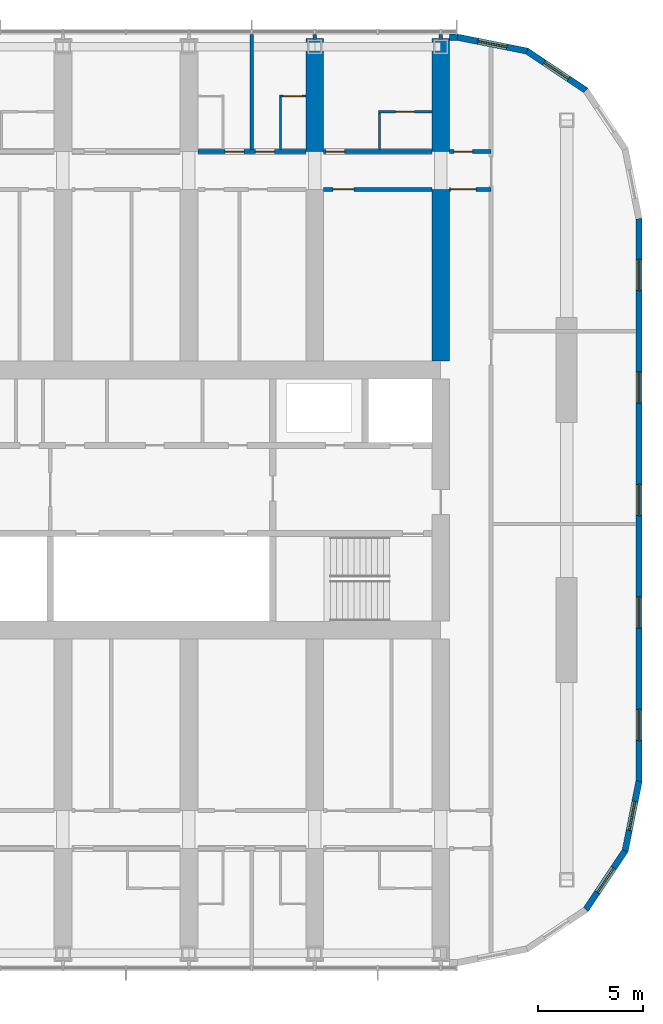
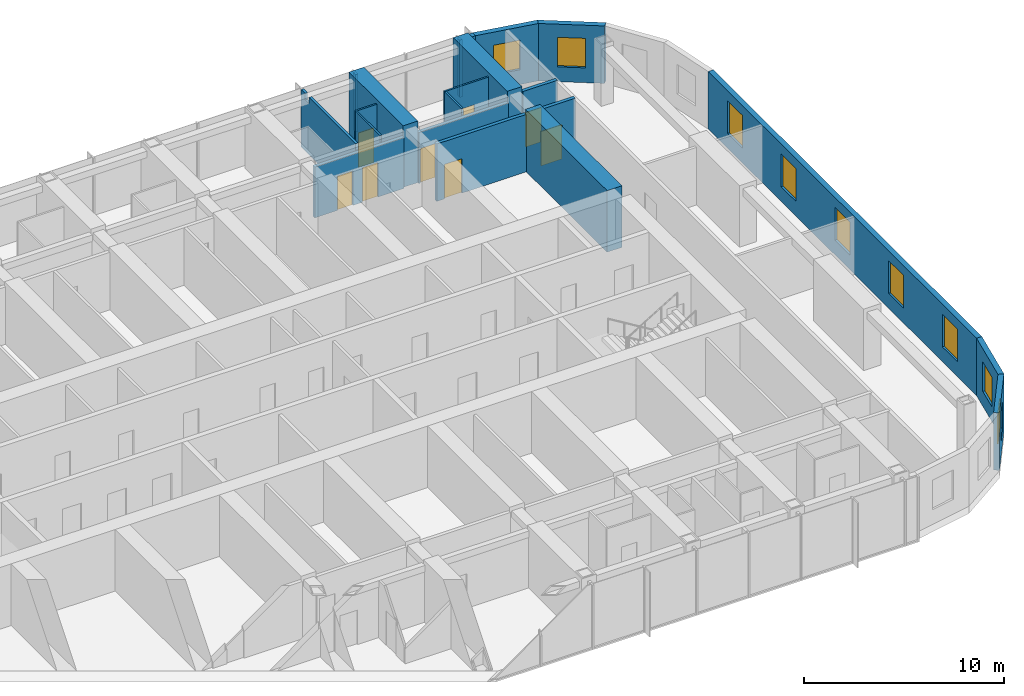
# One storey, part 20 of 28: 21 walls, 9 windows, 8 doors, 17 openings.
"""IFC4 building model written with IfcOpenShell, lengths in metres."""

from ifc_helpers import new_model, si_unit, direction, frame, frame_2d, origin, place, context, subcontext, project, spatial, polyline, rectangle, outline, extrude, material, layer, layer_set, type_object, element, fill, save


model = new_model("IFC4")

# Units and contexts
model_context = context("Model", 3, precision=1e-05, world=origin(), true_north=direction((0.0, 1.0)))
body_context = subcontext(model_context, "Body", "Model", "MODEL_VIEW")
ifc_project = project(units=[si_unit("LENGTHUNIT", "METRE"), si_unit("AREAUNIT", "SQUARE_METRE"), si_unit("VOLUMEUNIT", "CUBIC_METRE"), si_unit("PLANEANGLEUNIT", "RADIAN"), si_unit("MASSUNIT", "GRAM", prefix="KILO")], contexts=[model_context])

# Site, building, storey
site_placement = place(None, origin())
site = spatial("IfcSite", under=ifc_project, at=site_placement, CompositionType="ELEMENT")
building_placement = place(site_placement, origin())
building = spatial("IfcBuilding", under=site, at=building_placement, Name="Orbita Commons", CompositionType="ELEMENT")
storey_placement = place(building_placement, frame((0.0, 0.0, 193.60009765625)))
storey = spatial("IfcBuildingStorey", under=building, at=storey_placement, Name="L48", CompositionType="ELEMENT", Elevation=193.60009765625)

# Wall, openings, doors
ifc_material_1 = material(Name="Concrete blockwork", Category="masonry")
ifc_layer_1 = layer(ifc_material_1, 0.199951171875)
ifc_layer_set_1 = layer_set([ifc_layer_1], Name="Concrete blockwork")
wall_type_1 = type_object("IfcWallType", Name="Corridor wall 200 blockwork", PredefinedType="SOLIDWALL", material=ifc_layer_set_1)
wall_1_placement = place(storey_placement, frame((54.425048828125, 48.60009765625, 0.0), z_axis=(0.0, 0.0, 1.0), x_axis=(1.0, 0.0, 0.0)))
wall_1 = element("IfcWall", 1, at=wall_1_placement, inside=storey, type_object=wall_type_1, Name="Corridor wall 200 blockwork L48", PredefinedType="SOLIDWALL", context=body_context, shape_type="SweptSolid", body=[
    extrude(outline(polyline([(0.0, 0.0), (5.14990234375, 0.0), (5.14990234375, 3.099853515625), (0.0, 3.099853515625), (0.0, 0.0)])), frame((0.0, 0.10009765625, 0.0), z_axis=(0.0, -1.0, 0.0), x_axis=(1.0, 0.0, 0.0)), (0.0, 0.0, 1.0), 0.199951171875),
])
opening_1_placement = place(wall_1_placement, frame((1.300048828125, 0.0, 0.0)))
opening_1 = element("IfcOpeningElement", 2, at=opening_1_placement, cuts=wall_1, Name="Opening D11", PredefinedType="OPENING", context=body_context, shape_type="SweptSolid", body=[
    extrude(rectangle(XDim=0.89990234375, YDim=2.10009765625, at=frame_2d((0.449951171875, 1.050048828125))), frame((0.0, 0.10986328125, 0.0), z_axis=(0.0, -1.0, 0.0), x_axis=(1.0, 0.0, 0.0)), (0.0, 0.0, 1.0), 0.219970703125),
])
opening_2_placement = place(wall_1_placement, frame((2.75, 0.0, 0.0)))
opening_2 = element("IfcOpeningElement", 3, at=opening_2_placement, cuts=wall_1, Name="Opening D11", PredefinedType="OPENING", context=body_context, shape_type="SweptSolid", body=[
    extrude(rectangle(XDim=0.89990234375, YDim=2.10009765625, at=frame_2d((0.449951171875, 1.050048828125))), frame((0.0, 0.10986328125, 0.0), z_axis=(0.0, -1.0, 0.0), x_axis=(1.0, 0.0, 0.0)), (0.0, 0.0, 1.0), 0.219970703125),
])
ifc_material_2 = material(Name="Steel-faced fire door leaf", Category="steel")
door_type_1 = type_object("IfcDoorType", Name="Corridor door 20 min 900x2100", OperationType="SINGLE_SWING_LEFT", PredefinedType="DOOR", material=ifc_material_2)
door_1_placement = place(opening_1_placement, origin())
door_1 = element("IfcDoor", 4, at=door_1_placement, inside=storey, type_object=door_type_1, Name="Cluster bedroom L48-N12 door", OperationType="SINGLE_SWING_LEFT", OverallHeight=2.10009765625, OverallWidth=0.89990234375, PredefinedType="DOOR", context=body_context, shape_type="SweptSolid", body=[
    extrude(rectangle(XDim=0.89990234375, YDim=2.10009765625, at=frame_2d((0.449951171875, 1.050048828125))), frame((0.0, 0.02490234375, 0.0), z_axis=(0.0, -1.0, 0.0), x_axis=(1.0, 0.0, 0.0)), (0.0, 0.0, 1.0), 0.050048828125),
])
fill(opening_1, door_1)
door_2_placement = place(opening_2_placement, origin())
door_2 = element("IfcDoor", 5, at=door_2_placement, inside=storey, type_object=door_type_1, Name="Cluster bedroom L48-N13 door", OperationType="SINGLE_SWING_LEFT", OverallHeight=2.10009765625, OverallWidth=0.89990234375, PredefinedType="DOOR", context=body_context, shape_type="SweptSolid", body=[
    extrude(rectangle(XDim=0.89990234375, YDim=2.10009765625, at=frame_2d((0.449951171875, 1.050048828125))), frame((0.0, 0.02490234375, 0.0), z_axis=(0.0, -1.0, 0.0), x_axis=(1.0, 0.0, 0.0)), (0.0, 0.0, 1.0), 0.050048828125),
])
fill(opening_2, door_2)

# Wall, opening, door
wall_2_placement = place(storey_placement, frame((60.425048828125, 48.60009765625, 0.0), z_axis=(0.0, 0.0, 1.0), x_axis=(1.0, 0.0, 0.0)))
wall_2 = element("IfcWall", 6, at=wall_2_placement, inside=storey, type_object=wall_type_1, Name="Corridor wall 200 blockwork L48", PredefinedType="SOLIDWALL", context=body_context, shape_type="SweptSolid", body=[
    extrude(outline(polyline([(0.0, 0.0), (5.14990234375, 0.0), (5.14990234375, 3.099853515625), (0.0, 3.099853515625), (0.0, 0.0)])), frame((0.0, 0.10009765625, 0.0), z_axis=(0.0, -1.0, 0.0), x_axis=(1.0, 0.0, 0.0)), (0.0, 0.0, 1.0), 0.199951171875),
])
opening_3_placement = place(wall_2_placement, frame((0.10009765625, 0.0, 0.0)))
opening_3 = element("IfcOpeningElement", 7, at=opening_3_placement, cuts=wall_2, Name="Opening D11", PredefinedType="OPENING", context=body_context, shape_type="SweptSolid", body=[
    extrude(rectangle(XDim=0.89990234375, YDim=2.10009765625, at=frame_2d((0.449951171875, 1.050048828125))), frame((0.0, 0.10986328125, 0.0), z_axis=(0.0, -1.0, 0.0), x_axis=(1.0, 0.0, 0.0)), (0.0, 0.0, 1.0), 0.219970703125),
])
door_3_placement = place(opening_3_placement, origin())
door_3 = element("IfcDoor", 8, at=door_3_placement, inside=storey, type_object=door_type_1, Name="Twin room L48-N14 door", OperationType="SINGLE_SWING_LEFT", OverallHeight=2.10009765625, OverallWidth=0.89990234375, PredefinedType="DOOR", context=body_context, shape_type="SweptSolid", body=[
    extrude(rectangle(XDim=0.89990234375, YDim=2.10009765625, at=frame_2d((0.449951171875, 1.050048828125))), frame((0.0, 0.02490234375, 0.0), z_axis=(0.0, -1.0, 0.0), x_axis=(1.0, 0.0, 0.0)), (0.0, 0.0, 1.0), 0.050048828125),
])
fill(opening_3, door_3)

wall_3_placement = place(storey_placement, frame((66.425048828125, 48.60009765625, 0.0), z_axis=(0.0, 0.0, 1.0), x_axis=(1.0, 0.0, 0.0)))
wall_3 = element("IfcWall", 9, at=wall_3_placement, inside=storey, type_object=wall_type_1, Name="Corridor wall 200 blockwork L48", PredefinedType="SOLIDWALL", context=body_context, shape_type="SweptSolid", body=[
    extrude(rectangle(XDim=1.974853515625, YDim=0.199951171875, at=frame_2d((0.9873046875, 0.0))), origin(), (0.0, 0.0, 1.0), 3.5),
])
opening_4_placement = place(wall_3_placement, frame((0.199951171875, 0.0, 0.0)))
opening_4 = element("IfcOpeningElement", 10, at=opening_4_placement, cuts=wall_3, Name="Opening D05", PredefinedType="OPENING", context=body_context, shape_type="SweptSolid", body=[
    extrude(rectangle(XDim=0.89990234375, YDim=2.10009765625, at=frame_2d((0.449951171875, 1.050048828125))), frame((0.0, 0.10986328125, 0.0), z_axis=(0.0, -1.0, 0.0), x_axis=(1.0, 0.0, 0.0)), (0.0, 0.0, 1.0), 0.219970703125),
])
ifc_material_3 = material(Name="Steel-faced fire door leaf", Category="steel")
door_type_2 = type_object("IfcDoorType", Name="Service door 20 min 900x2100", OperationType="SINGLE_SWING_LEFT", PredefinedType="DOOR", material=ifc_material_3)
door_4_placement = place(opening_4_placement, origin())
door_4 = element("IfcDoor", 11, at=door_4_placement, inside=storey, type_object=door_type_2, Name="Linen store L48-KEN door", OperationType="SINGLE_SWING_LEFT", OverallHeight=2.10009765625, OverallWidth=0.89990234375, PredefinedType="DOOR", context=body_context, shape_type="SweptSolid", body=[
    extrude(rectangle(XDim=0.89990234375, YDim=2.10009765625, at=frame_2d((0.449951171875, 1.050048828125))), frame((0.0, 0.02490234375, 0.0), z_axis=(0.0, -1.0, 0.0), x_axis=(1.0, 0.0, 0.0)), (0.0, 0.0, 1.0), 0.050048828125),
])
fill(opening_4, door_4)

ifc_material_4 = material(Name="Hollow concrete block 200", Category="concrete")
ifc_layer_2 = layer(ifc_material_4, 0.199951171875)
ifc_layer_set_2 = layer_set([ifc_layer_2], Name="Hollow concrete block 200")
wall_type_2 = type_object("IfcWallType", Name="Corridor wall 200 hollow concrete block", PredefinedType="SOLIDWALL", material=ifc_layer_set_2)
wall_4_placement = place(storey_placement, frame((60.425048828125, 46.800048828125, 0.0), z_axis=(0.0, 0.0, 1.0), x_axis=(1.0, 0.0, 0.0)))
wall_4 = element("IfcWall", 12, at=wall_4_placement, inside=storey, type_object=wall_type_2, Name="Corridor wall 200 hollow concrete block L48", PredefinedType="SOLIDWALL", context=body_context, shape_type="SweptSolid", body=[
    extrude(rectangle(XDim=5.14990234375, YDim=0.199951171875, at=frame_2d((2.574951171875, 0.0))), origin(), (0.0, 0.0, 1.0), 3.5),
])
opening_5_placement = place(wall_4_placement, frame((0.449951171875, 0.0, 0.0)))
opening_5 = element("IfcOpeningElement", 13, at=opening_5_placement, cuts=wall_4, Name="Opening D06", PredefinedType="OPENING", context=body_context, shape_type="SweptSolid", body=[
    extrude(rectangle(XDim=1.0, YDim=2.10009765625, at=frame_2d((0.5, 1.050048828125))), frame((0.0, 0.10986328125, 0.0), z_axis=(0.0, -1.0, 0.0), x_axis=(1.0, 0.0, 0.0)), (0.0, 0.0, 1.0), 0.219970703125),
])
ifc_material_5 = material(Name="Steel-faced fire door leaf", Category="steel")
door_type_3 = type_object("IfcDoorType", Name="Corridor door 20 min 1000x2100", OperationType="SINGLE_SWING_LEFT", PredefinedType="DOOR", material=ifc_material_5)
door_5_placement = place(opening_5_placement, origin())
door_5 = element("IfcDoor", 14, at=door_5_placement, inside=storey, type_object=door_type_3, Name="Store L48-BDN60 door", OperationType="SINGLE_SWING_LEFT", OverallHeight=2.10009765625, OverallWidth=1.0, PredefinedType="DOOR", context=body_context, shape_type="SweptSolid", body=[
    extrude(rectangle(XDim=1.0, YDim=2.10009765625, at=frame_2d((0.5, 1.050048828125))), frame((0.0, 0.02490234375, 0.0), z_axis=(0.0, -1.0, 0.0), x_axis=(1.0, 0.0, 0.0)), (0.0, 0.0, 1.0), 0.050048828125),
])
fill(opening_5, door_5)

wall_5_placement = place(storey_placement, frame((66.425048828125, 46.800048828125, 0.0), z_axis=(0.0, 0.0, 1.0), x_axis=(1.0, 0.0, 0.0)))
wall_5 = element("IfcWall", 15, at=wall_5_placement, inside=storey, type_object=wall_type_2, Name="Corridor wall 200 hollow concrete block L48", PredefinedType="SOLIDWALL", context=body_context, shape_type="SweptSolid", body=[
    extrude(rectangle(XDim=1.974853515625, YDim=0.199951171875, at=frame_2d((0.9873046875, 0.0))), origin(), (0.0, 0.0, 1.0), 3.5),
])
opening_6_placement = place(wall_5_placement, frame((0.050048828125, 0.0, 0.0)))
opening_6 = element("IfcOpeningElement", 16, at=opening_6_placement, cuts=wall_5, Name="Opening D12", PredefinedType="OPENING", context=body_context, shape_type="SweptSolid", body=[
    extrude(rectangle(XDim=1.199951171875, YDim=2.10009765625, at=frame_2d((0.60009765625, 1.050048828125))), frame((0.0, 0.10986328125, 0.0), z_axis=(0.0, -1.0, 0.0), x_axis=(1.0, 0.0, 0.0)), (0.0, 0.0, 1.0), 0.219970703125),
])
ifc_material_6 = material(Name="Steel-faced fire door leaf", Category="steel")
door_type_4 = type_object("IfcDoorType", Name="Double corridor door 20 min 1200x2100", OperationType="DOUBLE_DOOR_SINGLE_SWING", PredefinedType="DOOR", material=ifc_material_6)
door_6_placement = place(opening_6_placement, origin())
door_6 = element("IfcDoor", 17, at=door_6_placement, inside=storey, type_object=door_type_4, Name="Cross corridor doors", OperationType="DOUBLE_DOOR_SINGLE_SWING", OverallHeight=2.10009765625, OverallWidth=1.199951171875, PredefinedType="DOOR", context=body_context, shape_type="SweptSolid", body=[
    extrude(rectangle(XDim=1.199951171875, YDim=2.10009765625, at=frame_2d((0.60009765625, 1.050048828125))), frame((0.0, 0.02490234375, 0.0), z_axis=(0.0, -1.0, 0.0), x_axis=(1.0, 0.0, 0.0)), (0.0, 0.0, 1.0), 0.050048828125),
])
fill(opening_6, door_6)

# Walls
ifc_material_7 = material(Name="Concrete C50/60", Category="concrete")
ifc_layer_3 = layer(ifc_material_7, 0.85009765625)
ifc_layer_set_3 = layer_set([ifc_layer_3], Name="Concrete C50/60")
wall_type_3 = type_object("IfcWallType", Name="Cross wall 850 C50/60", PredefinedType="SHEAR", material=ifc_layer_set_3)
for number, where, z_axis, x_axis, name in (
    (18, (60.0, 48.60009765625, 0.0), (0.0, 0.0, 1.0), (0.0, 1.0, 0.0), "Cross wall 11 north outer L48"),
    (19, (66.0, 48.60009765625, 0.0), (0.0, 0.0, 1.0), (0.0, 1.0, 0.0), "Cross wall 12 north outer L48"),
):
    element("IfcWall", number, at=place(storey_placement, frame(where, z_axis=z_axis, x_axis=x_axis)), inside=storey, type_object=wall_type_3, Name=name, PredefinedType="SHEAR", context=body_context, shape_type="SweptSolid", body=[
        extrude(rectangle(XDim=5.39990234375, YDim=0.85009765625, at=frame_2d((2.699951171875, 0.0))), origin(), (0.0, 0.0, 1.0), 3.75),
    ])
wall_6_placement = place(storey_placement, frame((66.0, 38.625, 0.0), z_axis=(0.0, 0.0, 1.0), x_axis=(0.0, 1.0, 0.0)))
element("IfcWall", 20, at=wall_6_placement, inside=storey, type_object=wall_type_3, Name="Cross wall 12 north inner L48", PredefinedType="SHEAR", context=body_context, shape_type="SweptSolid", body=[
    extrude(rectangle(XDim=8.175048828125, YDim=0.85009765625, at=frame_2d((4.08740234375, 0.0))), origin(), (0.0, 0.0, 1.0), 3.75),
])

# Wall, opening, door
ifc_material_8 = material(Name="Moisture-resistant plasterboard on steel studs", Category="steel")
ifc_layer_4 = layer(ifc_material_8, 0.10009765625)
ifc_layer_set_4 = layer_set([ifc_layer_4], Name="Moisture-resistant plasterboard on steel studs")
wall_type_4 = type_object("IfcWallType", Name="En-suite partition 100", PredefinedType="PARTITIONING", material=ifc_layer_set_4)
wall_7_placement = place(storey_placement, frame((58.324951171875, 51.24169921875, 0.0), z_axis=(0.0, 0.0, 1.0), x_axis=(1.0, 0.0, 0.0)))
wall_7 = element("IfcWall", 21, at=wall_7_placement, inside=storey, type_object=wall_type_4, Name="En-suite partition 100 L48", PredefinedType="PARTITIONING", context=body_context, shape_type="SweptSolid", body=[
    extrude(rectangle(XDim=1.25, YDim=0.10009765625, at=frame_2d((0.625, 0.0))), origin(), (0.0, 0.0, 1.0), 3.5),
])
opening_7_placement = place(wall_7_placement, frame((0.175048828125, 0.0, 0.0)))
opening_7 = element("IfcOpeningElement", 22, at=opening_7_placement, cuts=wall_7, Name="Opening D09", PredefinedType="OPENING", context=body_context, shape_type="SweptSolid", body=[
    extrude(rectangle(XDim=0.89990234375, YDim=2.10009765625, at=frame_2d((0.449951171875, 1.050048828125))), frame((0.0, 0.06005859375, 0.0), z_axis=(0.0, -1.0, 0.0), x_axis=(1.0, 0.0, 0.0)), (0.0, 0.0, 1.0), 0.1201171875),
])
ifc_material_9 = material(Name="Laminated timber door leaf", Category="wood")
door_type_5 = type_object("IfcDoorType", Name="En-suite door 900x2100", OperationType="SINGLE_SWING_RIGHT", PredefinedType="DOOR", material=ifc_material_9)
door_7_placement = place(opening_7_placement, origin())
door_7 = element("IfcDoor", 23, at=door_7_placement, inside=storey, type_object=door_type_5, Name="En-suite L48-N13 door", OperationType="SINGLE_SWING_RIGHT", OverallHeight=2.10009765625, OverallWidth=0.89990234375, PredefinedType="DOOR", context=body_context, shape_type="SweptSolid", body=[
    extrude(rectangle(XDim=0.89990234375, YDim=2.10009765625, at=frame_2d((0.449951171875, 1.050048828125))), frame((0.0, 0.02490234375, 0.0), z_axis=(0.0, -1.0, 0.0), x_axis=(1.0, 0.0, 0.0)), (0.0, 0.0, 1.0), 0.050048828125),
])
fill(opening_7, door_7)

# Wall
wall_8_placement = place(storey_placement, frame((58.375, 51.191650390625, 0.0), z_axis=(0.0, 0.0, 1.0), x_axis=(0.0, -1.0, 0.0)))
element("IfcWall", 24, at=wall_8_placement, inside=storey, type_object=wall_type_4, Name="En-suite partition 100 L48", PredefinedType="PARTITIONING", context=body_context, shape_type="SweptSolid", body=[
    extrude(outline(polyline([(0.0, 0.0), (2.49169921875, 0.0), (2.49169921875, 3.099853515625), (2.443603515625, 3.099853515625), (2.441650390625, 3.5), (0.0, 3.5), (0.0, 0.0)])), frame((0.0, 0.050048828125, 0.0), z_axis=(0.0, -1.0, 0.0), x_axis=(1.0, 0.0, 0.0)), (0.0, 0.0, 1.0), 0.10009765625),
])

# Wall, opening, door
wall_9_placement = place(storey_placement, frame((63.02490234375, 50.5, 0.0), z_axis=(0.0, 0.0, 1.0), x_axis=(1.0, 0.0, 0.0)))
wall_9 = element("IfcWall", 25, at=wall_9_placement, inside=storey, type_object=wall_type_4, Name="En-suite partition 100 L48", PredefinedType="PARTITIONING", context=body_context, shape_type="SweptSolid", body=[
    extrude(rectangle(XDim=2.550048828125, YDim=0.10009765625, at=frame_2d((1.27490234375, 0.0))), origin(), (0.0, 0.0, 1.0), 3.5),
])
opening_8_placement = place(wall_9_placement, frame((0.824951171875, 0.0, 0.0)))
opening_8 = element("IfcOpeningElement", 26, at=opening_8_placement, cuts=wall_9, Name="Opening D09", PredefinedType="OPENING", context=body_context, shape_type="SweptSolid", body=[
    extrude(rectangle(XDim=0.89990234375, YDim=2.10009765625, at=frame_2d((0.449951171875, 1.050048828125))), frame((0.0, 0.06005859375, 0.0), z_axis=(0.0, -1.0, 0.0), x_axis=(1.0, 0.0, 0.0)), (0.0, 0.0, 1.0), 0.1201171875),
])
door_8_placement = place(opening_8_placement, origin())
door_8 = element("IfcDoor", 27, at=door_8_placement, inside=storey, type_object=door_type_5, Name="En-suite L48-N14 door", OperationType="SINGLE_SWING_RIGHT", OverallHeight=2.10009765625, OverallWidth=0.89990234375, PredefinedType="DOOR", context=body_context, shape_type="SweptSolid", body=[
    extrude(rectangle(XDim=0.89990234375, YDim=2.10009765625, at=frame_2d((0.449951171875, 1.050048828125))), frame((0.0, 0.02490234375, 0.0), z_axis=(0.0, -1.0, 0.0), x_axis=(1.0, 0.0, 0.0)), (0.0, 0.0, 1.0), 0.050048828125),
])
fill(opening_8, door_8)

# Walls
wall_10_placement = place(storey_placement, frame((63.074951171875, 50.449951171875, 0.0), z_axis=(0.0, 0.0, 1.0), x_axis=(0.0, -1.0, 0.0)))
element("IfcWall", 28, at=wall_10_placement, inside=storey, type_object=wall_type_4, Name="En-suite partition 100 L48", PredefinedType="PARTITIONING", context=body_context, shape_type="SweptSolid", body=[
    extrude(outline(polyline([(0.0, 0.0), (1.75, 0.0), (1.75, 3.099853515625), (1.701904296875, 3.099853515625), (1.699951171875, 3.5), (0.0, 3.5), (0.0, 0.0)])), frame((0.0, 0.050048828125, 0.0), z_axis=(0.0, -1.0, 0.0), x_axis=(1.0, 0.0, 0.0)), (0.0, 0.0, 1.0), 0.10009765625),
])
ifc_material_10 = material(Name="Gypsum plasterboard on steel studs", Category="steel")
ifc_layer_5 = layer(ifc_material_10, 0.14990234375)
ifc_layer_set_5 = layer_set([ifc_layer_5], Name="Gypsum plasterboard on steel studs")
wall_type_5 = type_object("IfcWallType", Name="Partition 150 plasterboard", PredefinedType="PARTITIONING", material=ifc_layer_set_5)
for number, where, z_axis, x_axis, name in (
    (29, (60.0, 53.949951171875, 0.0), (0.0, 0.0, 1.0), (0.0, 1.0, 0.0), "Partition 150 plasterboard L48"),
    (30, (66.0, 53.949951171875, 0.0), (0.0, 0.0, 1.0), (0.0, 1.0, 0.0), "Partition 150 plasterboard L48"),
):
    element("IfcWall", number, at=place(storey_placement, frame(where, z_axis=z_axis, x_axis=x_axis)), inside=storey, type_object=wall_type_5, Name=name, PredefinedType="PARTITIONING", context=body_context, shape_type="SweptSolid", body=[
        extrude(rectangle(XDim=0.239990234375, YDim=0.14990234375, at=frame_2d((0.1201171875, 0.0))), origin(), (0.0, 0.0, 1.0), 3.5),
    ])
ifc_material_11 = material(Name="Gypsum plasterboard on steel studs", Category="steel")
ifc_layer_6 = layer(ifc_material_11, 0.14990234375)
ifc_layer_set_6 = layer_set([ifc_layer_6], Name="Gypsum plasterboard on steel studs")
wall_type_6 = type_object("IfcWallType", Name="Party wall 150 plasterboard", PredefinedType="PARTITIONING", material=ifc_layer_set_6)
wall_11_placement = place(storey_placement, frame((57.0, 54.18994140625, 0.0), z_axis=(0.0, 0.0, 1.0), x_axis=(0.0, -1.0, 0.0)))
element("IfcWall", 31, at=wall_11_placement, inside=storey, type_object=wall_type_6, Name="Party wall 150 plasterboard L48", PredefinedType="PARTITIONING", context=body_context, shape_type="SweptSolid", body=[
    extrude(outline(polyline([(0.0, 0.0), (5.489990234375, 0.0), (5.489990234375, 3.099853515625), (5.44189453125, 3.099853515625), (5.43994140625, 3.5), (0.7919921875, 3.5), (0.7900390625, 3.099853515625), (0.39208984375, 3.099853515625), (0.389892578125, 3.5), (0.0, 3.5), (0.0, 0.0)])), frame((0.0, 0.074951171875, 0.0), z_axis=(0.0, -1.0, 0.0), x_axis=(1.0, 0.0, 0.0)), (0.0, 0.0, 1.0), 0.14990234375),
])

# Wall, openings, windows
ifc_material_12 = material(Name="Precast concrete C40/50, white board-marked finish", Category="concrete")
ifc_layer_7 = layer(ifc_material_12, 0.300048828125)
ifc_layer_set_7 = layer_set([ifc_layer_7], Name="Precast concrete C40/50, white board-marked finish")
wall_type_7 = type_object("IfcWallType", Name="Precast concrete end shield 300", PredefinedType="SOLIDWALL", material=ifc_layer_set_7)
wall_12_placement = place(storey_placement, frame((75.449951171875, 18.60009765625, 0.0), z_axis=(0.0, 0.0, 1.0), x_axis=(0.0, 1.0, 0.0)))
wall_12 = element("IfcWall", 32, at=wall_12_placement, inside=storey, type_object=wall_type_7, Name="End shield E L48", PredefinedType="SOLIDWALL", context=body_context, shape_type="SweptSolid", body=[
    extrude(outline(polyline([(-0.014892578125, -0.14990234375), (26.814697265625, -0.14990234375), (26.784912109375, 0.14990234375), (0.014892578125, 0.14990234375), (-0.014892578125, -0.14990234375)])), origin(), (0.0, 0.0, 1.0), 3.5),
])
opening_9_placement = place(wall_12_placement, frame((1.929931640625, 0.0, 0.89990234375)))
opening_9 = element("IfcOpeningElement", 33, at=opening_9_placement, cuts=wall_12, Name="Opening W01", PredefinedType="OPENING", context=body_context, shape_type="SweptSolid", body=[
    extrude(rectangle(XDim=1.5, YDim=2.0, at=frame_2d((0.75, 1.0))), frame((0.0, 0.159912109375, 0.0), z_axis=(0.0, -1.0, 0.0), x_axis=(1.0, 0.0, 0.0)), (0.0, 0.0, 1.0), 0.320068359375),
])
opening_10_placement = place(wall_12_placement, frame((7.2900390625, 0.0, 0.89990234375)))
opening_10 = element("IfcOpeningElement", 34, at=opening_10_placement, cuts=wall_12, Name="Opening W01", PredefinedType="OPENING", context=body_context, shape_type="SweptSolid", body=[
    extrude(rectangle(XDim=1.5, YDim=2.0, at=frame_2d((0.75, 1.0))), frame((0.0, 0.159912109375, 0.0), z_axis=(0.0, -1.0, 0.0), x_axis=(1.0, 0.0, 0.0)), (0.0, 0.0, 1.0), 0.320068359375),
])
opening_11_placement = place(wall_12_placement, frame((12.64990234375, 0.0, 0.89990234375)))
opening_11 = element("IfcOpeningElement", 35, at=opening_11_placement, cuts=wall_12, Name="Opening W01", PredefinedType="OPENING", context=body_context, shape_type="SweptSolid", body=[
    extrude(rectangle(XDim=1.5, YDim=2.0, at=frame_2d((0.75, 1.0))), frame((0.0, 0.159912109375, 0.0), z_axis=(0.0, -1.0, 0.0), x_axis=(1.0, 0.0, 0.0)), (0.0, 0.0, 1.0), 0.320068359375),
])
opening_12_placement = place(wall_12_placement, frame((18.010009765625, 0.0, 0.89990234375)))
opening_12 = element("IfcOpeningElement", 36, at=opening_12_placement, cuts=wall_12, Name="Opening W01", PredefinedType="OPENING", context=body_context, shape_type="SweptSolid", body=[
    extrude(rectangle(XDim=1.5, YDim=2.0, at=frame_2d((0.75, 1.0))), frame((0.0, 0.159912109375, 0.0), z_axis=(0.0, -1.0, 0.0), x_axis=(1.0, 0.0, 0.0)), (0.0, 0.0, 1.0), 0.320068359375),
])
opening_13_placement = place(wall_12_placement, frame((23.3701171875, 0.0, 0.89990234375)))
opening_13 = element("IfcOpeningElement", 37, at=opening_13_placement, cuts=wall_12, Name="Opening W01", PredefinedType="OPENING", context=body_context, shape_type="SweptSolid", body=[
    extrude(rectangle(XDim=1.5, YDim=2.0, at=frame_2d((0.75, 1.0))), frame((0.0, 0.159912109375, 0.0), z_axis=(0.0, -1.0, 0.0), x_axis=(1.0, 0.0, 0.0)), (0.0, 0.0, 1.0), 0.320068359375),
])
ifc_material_13 = material(Name="Aluminium frame, clear double glazing", Category="aluminium")
window_type_1 = type_object("IfcWindowType", Name="Deep-set window 1500x2000", PartitioningType="SINGLE_PANEL", PredefinedType="WINDOW", material=ifc_material_13)
window_1_placement = place(opening_9_placement, origin())
window_1 = element("IfcWindow", 38, at=window_1_placement, inside=storey, type_object=window_type_1, Name="Window L48-E 1", OverallHeight=2.0, OverallWidth=1.5, PartitioningType="SINGLE_PANEL", PredefinedType="WINDOW", context=body_context, shape_type="SweptSolid", body=[
    extrude(rectangle(XDim=1.5, YDim=2.0, at=frame_2d((0.75, 1.0))), frame((0.0, 0.030029296875, 0.0), z_axis=(0.0, -1.0, 0.0), x_axis=(1.0, 0.0, 0.0)), (0.0, 0.0, 1.0), 0.06005859375),
])
fill(opening_9, window_1)
window_2_placement = place(opening_10_placement, origin())
window_2 = element("IfcWindow", 39, at=window_2_placement, inside=storey, type_object=window_type_1, Name="Window L48-E 2", OverallHeight=2.0, OverallWidth=1.5, PartitioningType="SINGLE_PANEL", PredefinedType="WINDOW", context=body_context, shape_type="SweptSolid", body=[
    extrude(rectangle(XDim=1.5, YDim=2.0, at=frame_2d((0.75, 1.0))), frame((0.0, 0.030029296875, 0.0), z_axis=(0.0, -1.0, 0.0), x_axis=(1.0, 0.0, 0.0)), (0.0, 0.0, 1.0), 0.06005859375),
])
fill(opening_10, window_2)
window_3_placement = place(opening_11_placement, origin())
window_3 = element("IfcWindow", 40, at=window_3_placement, inside=storey, type_object=window_type_1, Name="Window L48-E 3", OverallHeight=2.0, OverallWidth=1.5, PartitioningType="SINGLE_PANEL", PredefinedType="WINDOW", context=body_context, shape_type="SweptSolid", body=[
    extrude(rectangle(XDim=1.5, YDim=2.0, at=frame_2d((0.75, 1.0))), frame((0.0, 0.030029296875, 0.0), z_axis=(0.0, -1.0, 0.0), x_axis=(1.0, 0.0, 0.0)), (0.0, 0.0, 1.0), 0.06005859375),
])
fill(opening_11, window_3)
window_4_placement = place(opening_12_placement, origin())
window_4 = element("IfcWindow", 41, at=window_4_placement, inside=storey, type_object=window_type_1, Name="Window L48-E 4", OverallHeight=2.0, OverallWidth=1.5, PartitioningType="SINGLE_PANEL", PredefinedType="WINDOW", context=body_context, shape_type="SweptSolid", body=[
    extrude(rectangle(XDim=1.5, YDim=2.0, at=frame_2d((0.75, 1.0))), frame((0.0, 0.030029296875, 0.0), z_axis=(0.0, -1.0, 0.0), x_axis=(1.0, 0.0, 0.0)), (0.0, 0.0, 1.0), 0.06005859375),
])
fill(opening_12, window_4)
window_5_placement = place(opening_13_placement, origin())
window_5 = element("IfcWindow", 42, at=window_5_placement, inside=storey, type_object=window_type_1, Name="Window L48-E 5", OverallHeight=2.0, OverallWidth=1.5, PartitioningType="SINGLE_PANEL", PredefinedType="WINDOW", context=body_context, shape_type="SweptSolid", body=[
    extrude(rectangle(XDim=1.5, YDim=2.0, at=frame_2d((0.75, 1.0))), frame((0.0, 0.030029296875, 0.0), z_axis=(0.0, -1.0, 0.0), x_axis=(1.0, 0.0, 0.0)), (0.0, 0.0, 1.0), 0.06005859375),
])
fill(opening_13, window_5)

# Wall, opening, window
wall_13_placement = place(storey_placement, frame((72.91650390625, 12.4833984375, 0.0), z_axis=(0.0, 0.0, 1.0), x_axis=(0.555534554399, 0.831493450887, 0.0)))
wall_13 = element("IfcWall", 43, at=wall_13_placement, inside=storey, type_object=wall_type_7, Name="End shield SE chord 3 L48", PredefinedType="SOLIDWALL", context=body_context, shape_type="SweptSolid", body=[
    extrude(outline(polyline([(-0.02978515625, -0.14990234375), (3.405029296875, -0.14990234375), (3.345458984375, 0.14990234375), (0.02978515625, 0.14990234375), (-0.02978515625, -0.14990234375)])), origin(), (0.0, 0.0, 1.0), 3.5),
])
opening_14_placement = place(wall_13_placement, frame((0.987548828125, 0.0, 0.89990234375)))
opening_14 = element("IfcOpeningElement", 44, at=opening_14_placement, cuts=wall_13, Name="Opening W02", PredefinedType="OPENING", context=body_context, shape_type="SweptSolid", body=[
    extrude(rectangle(XDim=1.39990234375, YDim=1.800048828125, at=frame_2d((0.699951171875, 0.89990234375))), frame((0.0, 0.159912109375, 0.0), z_axis=(0.0, -1.0, 0.0), x_axis=(1.0, 0.0, 0.0)), (0.0, 0.0, 1.0), 0.320068359375),
])
ifc_material_14 = material(Name="Aluminium frame, clear double glazing", Category="aluminium")
window_type_2 = type_object("IfcWindowType", Name="Deep-set window 1400x1800", PartitioningType="SINGLE_PANEL", PredefinedType="WINDOW", material=ifc_material_14)
window_6_placement = place(opening_14_placement, origin())
window_6 = element("IfcWindow", 45, at=window_6_placement, inside=storey, type_object=window_type_2, Name="Window L48-SE2", OverallHeight=1.800048828125, OverallWidth=1.39990234375, PartitioningType="SINGLE_PANEL", PredefinedType="WINDOW", context=body_context, shape_type="SweptSolid", body=[
    extrude(rectangle(XDim=1.39990234375, YDim=1.800048828125, at=frame_2d((0.699951171875, 0.89990234375))), frame((0.0, 0.030029296875, 0.0), z_axis=(0.0, -1.0, 0.0), x_axis=(1.0, 0.0, 0.0)), (0.0, 0.0, 1.0), 0.06005859375),
])
fill(opening_14, window_6)

wall_14_placement = place(storey_placement, frame((74.79150390625, 15.289794921875, 0.0), z_axis=(0.0, 0.0, 1.0), x_axis=(0.19508664885, 0.980786011034, 0.0)))
wall_14 = element("IfcWall", 46, at=wall_14_placement, inside=storey, type_object=wall_type_7, Name="End shield SE chord 4 L48", PredefinedType="SOLIDWALL", context=body_context, shape_type="SweptSolid", body=[
    extrude(outline(polyline([(-0.02978515625, -0.14990234375), (3.39013671875, -0.14990234375), (3.3603515625, 0.14990234375), (0.02978515625, 0.14990234375), (-0.02978515625, -0.14990234375)])), origin(), (0.0, 0.0, 1.0), 3.5),
])
opening_15_placement = place(wall_14_placement, frame((0.987548828125, 0.0, 0.89990234375)))
opening_15 = element("IfcOpeningElement", 47, at=opening_15_placement, cuts=wall_14, Name="Opening W02", PredefinedType="OPENING", context=body_context, shape_type="SweptSolid", body=[
    extrude(rectangle(XDim=1.39990234375, YDim=1.800048828125, at=frame_2d((0.699951171875, 0.89990234375))), frame((0.0, 0.159912109375, 0.0), z_axis=(0.0, -1.0, 0.0), x_axis=(1.0, 0.0, 0.0)), (0.0, 0.0, 1.0), 0.320068359375),
])
window_7_placement = place(opening_15_placement, origin())
window_7 = element("IfcWindow", 48, at=window_7_placement, inside=storey, type_object=window_type_2, Name="Window L48-SE3", OverallHeight=1.800048828125, OverallWidth=1.39990234375, PartitioningType="SINGLE_PANEL", PredefinedType="WINDOW", context=body_context, shape_type="SweptSolid", body=[
    extrude(rectangle(XDim=1.39990234375, YDim=1.800048828125, at=frame_2d((0.699951171875, 0.89990234375))), frame((0.0, 0.030029296875, 0.0), z_axis=(0.0, -1.0, 0.0), x_axis=(1.0, 0.0, 0.0)), (0.0, 0.0, 1.0), 0.06005859375),
])
fill(opening_15, window_7)

wall_15_placement = place(storey_placement, frame((72.91650390625, 51.5166015625, 0.0), z_axis=(0.0, 0.0, 1.0), x_axis=(-0.831493450887, 0.555534554399, 0.0)))
wall_15 = element("IfcWall", 49, at=wall_15_placement, inside=storey, type_object=wall_type_7, Name="End shield NE chord 3 L48", PredefinedType="SOLIDWALL", context=body_context, shape_type="SweptSolid", body=[
    extrude(outline(polyline([(-0.02978515625, -0.14990234375), (3.405029296875, -0.14990234375), (3.345458984375, 0.14990234375), (0.02978515625, 0.14990234375), (-0.02978515625, -0.14990234375)])), origin(), (0.0, 0.0, 1.0), 3.5),
])
opening_16_placement = place(wall_15_placement, frame((0.987548828125, 0.0, 0.89990234375)))
opening_16 = element("IfcOpeningElement", 50, at=opening_16_placement, cuts=wall_15, Name="Opening W02", PredefinedType="OPENING", context=body_context, shape_type="SweptSolid", body=[
    extrude(rectangle(XDim=1.39990234375, YDim=1.800048828125, at=frame_2d((0.699951171875, 0.89990234375))), frame((0.0, 0.159912109375, 0.0), z_axis=(0.0, -1.0, 0.0), x_axis=(1.0, 0.0, 0.0)), (0.0, 0.0, 1.0), 0.320068359375),
])
window_8_placement = place(opening_16_placement, origin())
window_8 = element("IfcWindow", 51, at=window_8_placement, inside=storey, type_object=window_type_2, Name="Window L48-NE2", OverallHeight=1.800048828125, OverallWidth=1.39990234375, PartitioningType="SINGLE_PANEL", PredefinedType="WINDOW", context=body_context, shape_type="SweptSolid", body=[
    extrude(rectangle(XDim=1.39990234375, YDim=1.800048828125, at=frame_2d((0.699951171875, 0.89990234375))), frame((0.0, 0.030029296875, 0.0), z_axis=(0.0, -1.0, 0.0), x_axis=(1.0, 0.0, 0.0)), (0.0, 0.0, 1.0), 0.06005859375),
])
fill(opening_16, window_8)

wall_16_placement = place(storey_placement, frame((70.110107421875, 53.3916015625, 0.0), z_axis=(0.0, 0.0, 1.0), x_axis=(-0.98078325777, 0.195100490205, 0.0)))
wall_16 = element("IfcWall", 52, at=wall_16_placement, inside=storey, type_object=wall_type_7, Name="End shield NE chord 4 L48", PredefinedType="SOLIDWALL", context=body_context, shape_type="SweptSolid", body=[
    extrude(outline(polyline([(-0.02978515625, -0.14990234375), (3.40478515625, -0.14990234375), (3.34521484375, 0.14990234375), (0.02978515625, 0.14990234375), (-0.02978515625, -0.14990234375)])), origin(), (0.0, 0.0, 1.0), 3.5),
])
opening_17_placement = place(wall_16_placement, frame((0.987548828125, 0.0, 0.89990234375)))
opening_17 = element("IfcOpeningElement", 53, at=opening_17_placement, cuts=wall_16, Name="Opening W02", PredefinedType="OPENING", context=body_context, shape_type="SweptSolid", body=[
    extrude(rectangle(XDim=1.39990234375, YDim=1.800048828125, at=frame_2d((0.699951171875, 0.89990234375))), frame((0.0, 0.159912109375, 0.0), z_axis=(0.0, -1.0, 0.0), x_axis=(1.0, 0.0, 0.0)), (0.0, 0.0, 1.0), 0.320068359375),
])
window_9_placement = place(opening_17_placement, origin())
window_9 = element("IfcWindow", 54, at=window_9_placement, inside=storey, type_object=window_type_2, Name="Window L48-NE3", OverallHeight=1.800048828125, OverallWidth=1.39990234375, PartitioningType="SINGLE_PANEL", PredefinedType="WINDOW", context=body_context, shape_type="SweptSolid", body=[
    extrude(rectangle(XDim=1.39990234375, YDim=1.800048828125, at=frame_2d((0.699951171875, 0.89990234375))), frame((0.0, 0.030029296875, 0.0), z_axis=(0.0, -1.0, 0.0), x_axis=(1.0, 0.0, 0.0)), (0.0, 0.0, 1.0), 0.06005859375),
])
fill(opening_17, window_9)

# Wall
wall_17_placement = place(storey_placement, frame((66.800048828125, 54.050048828125, 0.0), z_axis=(0.0, 0.0, 1.0), x_axis=(-1.0, 0.0, 0.0)))
element("IfcWall", 55, at=wall_17_placement, inside=storey, type_object=wall_type_7, Name="End shield NE closer L48", PredefinedType="SOLIDWALL", context=body_context, shape_type="SweptSolid", body=[
    extrude(rectangle(XDim=0.375, YDim=0.300048828125, at=frame_2d((0.1875, 0.0))), origin(), (0.0, 0.0, 1.0), 3.5),
])

save(model, "model.ifc")
